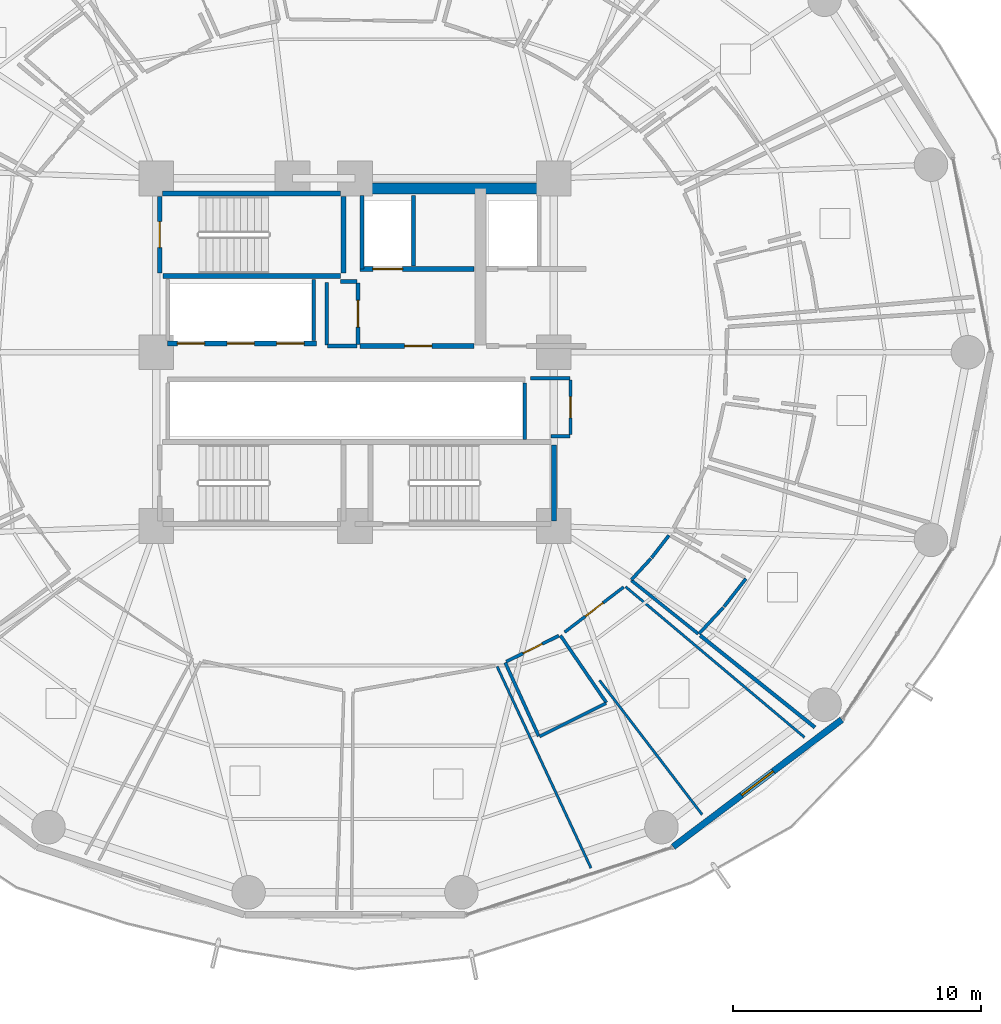
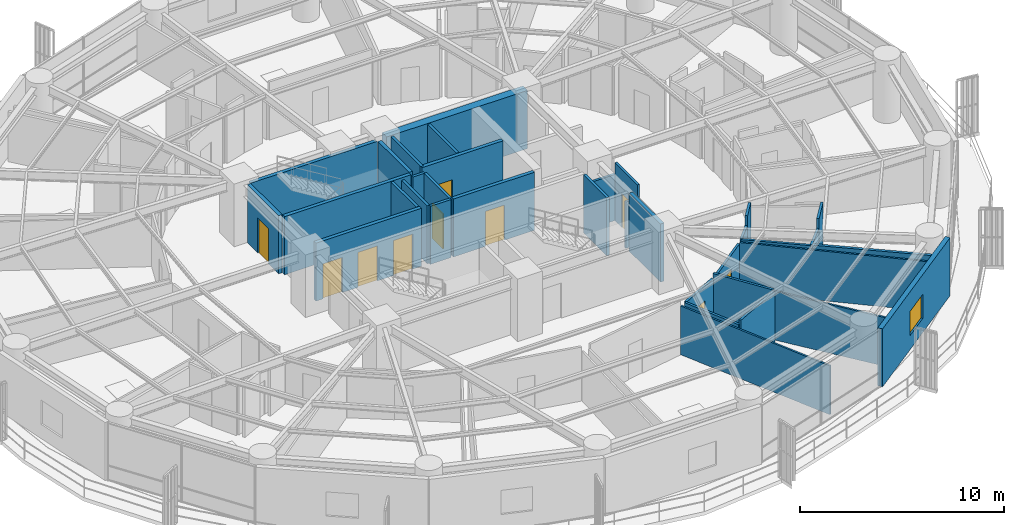
# One storey, part 28 of 36: 35 walls, 10 doors, 1 window, 11 openings.
"""IFC4 building model written with IfcOpenShell, lengths in metres."""

from ifc_helpers import new_model, si_unit, direction, frame, frame_2d, origin, place, context, subcontext, project, spatial, rectangle, extrude, material, layer, layer_set, type_object, element, fill, save


model = new_model("IFC4")

# Units and contexts
model_context = context("Model", 3, precision=1e-05, world=origin(), true_north=direction((0.0, 1.0)))
body_context = subcontext(model_context, "Body", "Model", "MODEL_VIEW")
ifc_project = project(units=[si_unit("LENGTHUNIT", "METRE"), si_unit("AREAUNIT", "SQUARE_METRE"), si_unit("VOLUMEUNIT", "CUBIC_METRE"), si_unit("PLANEANGLEUNIT", "RADIAN"), si_unit("MASSUNIT", "GRAM", prefix="KILO")], contexts=[model_context])

# Site, building, storey
site_placement = place(None, origin())
site = spatial("IfcSite", under=ifc_project, at=site_placement, CompositionType="ELEMENT")
building_placement = place(site_placement, origin())
building = spatial("IfcBuilding", under=site, at=building_placement, Name="Kelanora Arch Commons", CompositionType="ELEMENT")
storey_placement = place(building_placement, frame((0.0, 0.0, 98.85009765625)))
storey = spatial("IfcBuildingStorey", under=building, at=storey_placement, Name="L25", CompositionType="ELEMENT", Elevation=98.85009765625)

# Walls
ifc_material_1 = material(Name="Autoclaved aerated concrete blockwork with fire plaster", Category="masonry")
ifc_layer_1 = layer(ifc_material_1, 0.14990234375)
ifc_layer_set_1 = layer_set([ifc_layer_1], Name="Autoclaved aerated concrete blockwork with fire plaster")
wall_type_1 = type_object("IfcWallType", Name="W-COMP-150", PredefinedType="PARTITIONING", material=ifc_layer_set_1)
wall_1_placement = place(storey_placement, frame((74.280029296875, 61.35009765625, 0.0), z_axis=(0.0, 0.0, 1.0), x_axis=(0.0, 1.0, 0.0)))
element("IfcWall", 1, at=wall_1_placement, inside=storey, type_object=wall_type_1, Name="Firefighting Lift 1 West Shaft Wall L25", PredefinedType="PARTITIONING", context=body_context, shape_type="SweptSolid", body=[
    extrude(rectangle(XDim=2.969970703125, YDim=0.14990234375, at=frame_2d((1.48486328125, 0.0))), origin(), (0.0, 0.0, 1.0), 3.47998046875),
])
wall_2_placement = place(storey_placement, frame((76.360107421875, 61.47998046875, 0.0), z_axis=(0.0, 0.0, 1.0), x_axis=(0.0, 1.0, 0.0)))
element("IfcWall", 2, at=wall_2_placement, inside=storey, type_object=wall_type_1, Name="Firefighting Lift 1 East Shaft Wall L25", PredefinedType="PARTITIONING", context=body_context, shape_type="SweptSolid", body=[
    extrude(rectangle(XDim=2.840087890625, YDim=0.14990234375, at=frame_2d((1.419921875, 0.0))), origin(), (0.0, 0.0, 1.0), 3.47998046875),
])
wall_3_placement = place(storey_placement, frame((72.340087890625, 58.47998046875, 0.0), z_axis=(0.0, 0.0, 1.0), x_axis=(0.0, 1.0, 0.0)))
element("IfcWall", 3, at=wall_3_placement, inside=storey, type_object=wall_type_1, Name="Low-Rise Lift Bank East Wall L25", PredefinedType="PARTITIONING", context=body_context, shape_type="SweptSolid", body=[
    extrude(rectangle(XDim=2.4599609375, YDim=0.14990234375, at=frame_2d((1.22998046875, 0.0))), origin(), (0.0, 0.0, 1.0), 3.47998046875),
])
wall_4_placement = place(storey_placement, frame((80.840087890625, 54.47998046875, 0.0), z_axis=(0.0, 0.0, 1.0), x_axis=(0.0, 1.0, 0.0)))
element("IfcWall", 4, at=wall_4_placement, inside=storey, type_object=wall_type_1, Name="South Lift Bank East Wall L25", PredefinedType="PARTITIONING", context=body_context, shape_type="SweptSolid", body=[
    extrude(rectangle(XDim=2.2900390625, YDim=0.14990234375, at=frame_2d((1.14501953125, 0.0))), origin(), (0.0, 0.0, 1.0), 3.47998046875),
])

# Wall, opening, door
wall_5_placement = place(storey_placement, frame((74.1201171875, 58.31005859375, 0.0), z_axis=(0.0, 0.0, 1.0), x_axis=(0.0, 1.0, 0.0)))
wall_5 = element("IfcWall", 5, at=wall_5_placement, inside=storey, type_object=wall_type_1, Name="Core Linen Supply Store L25 Entry Partition", PredefinedType="PARTITIONING", context=body_context, shape_type="SweptSolid", body=[
    extrude(rectangle(XDim=2.47998046875, YDim=0.14990234375, at=frame_2d((1.239990234375, 0.0))), origin(), (0.0, 0.0, 1.0), 3.47998046875),
])
opening_1_placement = place(wall_5_placement, frame((0.699951171875, 0.0, 0.0)))
opening_1 = element("IfcOpeningElement", 6, at=opening_1_placement, cuts=wall_5, Name="Opening D-PLT1", PredefinedType="OPENING", context=body_context, shape_type="SweptSolid", body=[
    extrude(rectangle(XDim=1.080078125, YDim=2.10009765625, at=frame_2d((0.5400390625, 1.050048828125))), frame((0.0, 0.0849609375, 0.0), z_axis=(0.0, -1.0, 0.0), x_axis=(1.0, 0.0, 0.0)), (0.0, 0.0, 1.0), 0.169921875),
])
ifc_material_2 = material(Name="Galvanised steel plant and riser fire door", Category="steel")
door_type_1 = type_object("IfcDoorType", Name="D-PLT-110", OperationType="NOTDEFINED", PredefinedType="DOOR", material=ifc_material_2)
door_1_placement = place(opening_1_placement, origin())
door_1 = element("IfcDoor", 7, at=door_1_placement, inside=storey, type_object=door_type_1, Name="Core Linen Supply Store L25 Door", OperationType="SINGLE_SWING_LEFT", OverallHeight=2.10009765625, OverallWidth=1.080078125, PredefinedType="DOOR", context=body_context, shape_type="SweptSolid", body=[
    extrude(rectangle(XDim=1.080078125, YDim=2.10009765625, at=frame_2d((0.5400390625, 1.050048828125))), frame((0.0, 0.02490234375, 0.0), z_axis=(0.0, -1.0, 0.0), x_axis=(1.0, 0.0, 0.0)), (0.0, 0.0, 1.0), 0.050048828125),
])
fill(opening_1, door_1)

# Walls
wall_6_placement = place(storey_placement, frame((72.89990234375, 58.25, 0.0), z_axis=(0.0, 0.0, 1.0), x_axis=(1.0, 0.0, 0.0)))
element("IfcWall", 8, at=wall_6_placement, inside=storey, type_object=wall_type_1, Name="Core Linen Supply Store L25 Enclosure Partition 1", PredefinedType="PARTITIONING", context=body_context, shape_type="SweptSolid", body=[
    extrude(rectangle(XDim=1.18017578125, YDim=0.14990234375, at=frame_2d((0.590087890625, 0.0))), origin(), (0.0, 0.0, 1.0), 3.47998046875),
])
wall_7_placement = place(storey_placement, frame((74.080078125, 60.85009765625, 0.0), z_axis=(0.0, 0.0, 1.0), x_axis=(-1.0, 0.0, 0.0)))
element("IfcWall", 9, at=wall_7_placement, inside=storey, type_object=wall_type_1, Name="Core Linen Supply Store L25 Enclosure Partition 3", PredefinedType="PARTITIONING", context=body_context, shape_type="SweptSolid", body=[
    extrude(rectangle(XDim=0.66015625, YDim=0.14990234375, at=frame_2d((0.330078125, 0.0))), origin(), (0.0, 0.0, 1.0), 3.47998046875),
])
wall_8_placement = place(storey_placement, frame((72.860107421875, 60.81005859375, 0.0), z_axis=(0.0, 0.0, 1.0), x_axis=(0.0, -1.0, 0.0)))
element("IfcWall", 10, at=wall_8_placement, inside=storey, type_object=wall_type_1, Name="Core Linen Supply Store L25 Enclosure Partition 4", PredefinedType="PARTITIONING", context=body_context, shape_type="SweptSolid", body=[
    extrude(rectangle(XDim=2.52001953125, YDim=0.14990234375, at=frame_2d((1.260009765625, 0.0))), origin(), (0.0, 0.0, 1.0), 3.47998046875),
])
wall_9_placement = place(storey_placement, frame((92.518798828125, 42.89599609375, 0.0), z_axis=(0.0, 0.0, 1.0), x_axis=(-0.780422060226, 0.625253075093, 0.0)))
element("IfcWall", 11, at=wall_9_placement, inside=storey, type_object=wall_type_1, Name="Co-Living Studio L25-14 Enclosure Partition 5", PredefinedType="PARTITIONING", context=body_context, shape_type="SweptSolid", body=[
    extrude(rectangle(XDim=5.920654296875, YDim=0.14990234375, at=frame_2d((2.96044921875, 0.0))), origin(), (0.0, 0.0, 1.0), 2.974853515625),
])
ifc_material_3 = material(Name="Concrete C60/75", Category="concrete")
ifc_layer_2 = layer(ifc_material_3, 0.449951171875)
ifc_layer_set_2 = layer_set([ifc_layer_2], Name="Concrete C60/75")
wall_type_2 = type_object("IfcWallType", Name="W-CORE-450", PredefinedType="SHEAR", material=ifc_layer_set_2)
wall_10_placement = place(storey_placement, frame((74.0, 64.60009765625, 0.0), z_axis=(0.0, 0.0, 1.0), x_axis=(1.0, 0.0, 0.0)))
element("IfcWall", 12, at=wall_10_placement, inside=storey, type_object=wall_type_2, Name="Core Shear Spine L25-CN-E", PredefinedType="SHEAR", context=body_context, shape_type="SweptSolid", body=[
    extrude(rectangle(XDim=8.0, YDim=0.449951171875, at=frame_2d((4.0, 0.0))), origin(), (0.0, 0.0, 1.0), 3.489990234375),
])

# Wall, opening, window
ifc_material_4 = material(Name="Precast concrete C40/50 with terracotta rainscreen", Category="masonry")
ifc_layer_3 = layer(ifc_material_4, 0.260009765625)
ifc_layer_set_3 = layer_set([ifc_layer_3], Name="Precast concrete C40/50 with terracotta rainscreen")
wall_type_3 = type_object("IfcWallType", Name="W-EXT-TC", PredefinedType="SOLIDWALL", material=ifc_layer_set_3)
wall_11_placement = place(storey_placement, frame((86.81201171875, 38.09033203125, 0.0), z_axis=(0.0, 0.0, 1.0), x_axis=(0.798501507879, 0.601992808857, 0.0)))
wall_11 = element("IfcWall", 13, at=wall_11_placement, inside=storey, type_object=wall_type_3, Name="Terracotta Exterior Wall L25-B15", PredefinedType="SOLIDWALL", context=body_context, shape_type="SweptSolid", body=[
    extrude(rectangle(XDim=8.499267578125, YDim=0.260009765625, at=frame_2d((4.24951171875, 0.0))), origin(), (0.0, 0.0, 1.0), 3.474853515625),
])
opening_2_placement = place(wall_11_placement, frame((3.449951171875, 0.0, 0.85009765625)))
opening_2 = element("IfcOpeningElement", 14, at=opening_2_placement, cuts=wall_11, Name="Opening WN-01", PredefinedType="OPENING", context=body_context, shape_type="SweptSolid", body=[
    extrude(rectangle(XDim=1.60009765625, YDim=1.449951171875, at=frame_2d((0.800048828125, 0.72509765625))), frame((0.0, 0.14013671875, 0.0), z_axis=(0.0, -1.0, 0.0), x_axis=(1.0, 0.0, 0.0)), (0.0, 0.0, 1.0), 0.280029296875),
])
ifc_material_5 = material(Name="Terracotta-anodised aluminium frame with operable low-E glazing", Category="masonry")
window_type = type_object("IfcWindowType", Name="WIN-CL-18", PartitioningType="DOUBLE_PANEL_VERTICAL", PredefinedType="WINDOW", material=ifc_material_5)
window_placement = place(opening_2_placement, origin())
window = element("IfcWindow", 15, at=window_placement, inside=storey, type_object=window_type, Name="Co-Living Operable Window L25-B15", OverallHeight=1.449951171875, OverallWidth=1.60009765625, PartitioningType="SINGLE_PANEL", PredefinedType="WINDOW", context=body_context, shape_type="SweptSolid", body=[
    extrude(rectangle(XDim=1.60009765625, YDim=1.449951171875, at=frame_2d((0.800048828125, 0.72509765625))), frame((0.0, 0.030029296875, 0.0), z_axis=(0.0, -1.0, 0.0), x_axis=(1.0, 0.0, 0.0)), (0.0, 0.0, 1.0), 0.06005859375),
])
fill(opening_2, window)

# Wall, opening, door
ifc_material_6 = material(Name="Concrete C40/50", Category="concrete")
ifc_layer_4 = layer(ifc_material_6, 0.199951171875)
ifc_layer_set_4 = layer_set([ifc_layer_4], Name="Concrete C40/50")
wall_type_4 = type_object("IfcWallType", Name="W-FFL-200", PredefinedType="SOLIDWALL", material=ifc_layer_set_4)
wall_12_placement = place(storey_placement, frame((74.199951171875, 61.35009765625, 0.0), z_axis=(0.0, 0.0, 1.0), x_axis=(1.0, 0.0, 0.0)))
wall_12 = element("IfcWall", 16, at=wall_12_placement, inside=storey, type_object=wall_type_4, Name="Firefighting Lift 1 Shaft Front L25", PredefinedType="SOLIDWALL", context=body_context, shape_type="SweptSolid", body=[
    extrude(rectangle(XDim=4.60009765625, YDim=0.199951171875, at=frame_2d((2.300048828125, 0.0))), origin(), (0.0, 0.0, 1.0), 3.47998046875),
])
opening_3_placement = place(wall_12_placement, frame((0.52001953125, 0.0, 0.0)))
opening_3 = element("IfcOpeningElement", 17, at=opening_3_placement, cuts=wall_12, Name="Opening LD-FF", PredefinedType="OPENING", context=body_context, shape_type="SweptSolid", body=[
    extrude(rectangle(XDim=1.199951171875, YDim=2.14990234375, at=frame_2d((0.60009765625, 1.074951171875))), frame((0.0, 0.10986328125, 0.0), z_axis=(0.0, -1.0, 0.0), x_axis=(1.0, 0.0, 0.0)), (0.0, 0.0, 1.0), 0.219970703125),
])
ifc_material_7 = material(Name="Fire-rated firefighters lift sliding landing door")
door_type_2 = type_object("IfcDoorType", Name="D-LIFT-FF", OperationType="NOTDEFINED", PredefinedType="DOOR", material=ifc_material_7)
door_2_placement = place(opening_3_placement, origin())
door_2 = element("IfcDoor", 18, at=door_2_placement, inside=storey, type_object=door_type_2, Name="Firefighting Lift LF-FF1 Landing Door L25", OperationType="DOUBLE_DOOR_SLIDING", OverallHeight=2.14990234375, OverallWidth=1.199951171875, PredefinedType="DOOR", context=body_context, shape_type="SweptSolid", body=[
    extrude(rectangle(XDim=1.199951171875, YDim=2.14990234375, at=frame_2d((0.60009765625, 1.074951171875))), frame((0.0, 0.02490234375, 0.0), z_axis=(0.0, -1.0, 0.0), x_axis=(1.0, 0.0, 0.0)), (0.0, 0.0, 1.0), 0.050048828125),
])
fill(opening_3, door_2)

wall_13_placement = place(storey_placement, frame((74.199951171875, 58.25, 0.0), z_axis=(0.0, 0.0, 1.0), x_axis=(1.0, 0.0, 0.0)))
wall_13 = element("IfcWall", 19, at=wall_13_placement, inside=storey, type_object=wall_type_4, Name="Firefighting Lobby 1 Enclosure Wall L25", PredefinedType="SOLIDWALL", context=body_context, shape_type="SweptSolid", body=[
    extrude(rectangle(XDim=4.60009765625, YDim=0.199951171875, at=frame_2d((2.300048828125, 0.0))), origin(), (0.0, 0.0, 1.0), 3.47998046875),
])
opening_4_placement = place(wall_13_placement, frame((1.800048828125, 0.0, 0.0)))
opening_4 = element("IfcOpeningElement", 20, at=opening_4_placement, cuts=wall_13, Name="Opening D-FFL1", PredefinedType="OPENING", context=body_context, shape_type="SweptSolid", body=[
    extrude(rectangle(XDim=1.10009765625, YDim=2.10009765625, at=frame_2d((0.550048828125, 1.050048828125))), frame((0.0, 0.10986328125, 0.0), z_axis=(0.0, -1.0, 0.0), x_axis=(1.0, 0.0, 0.0)), (0.0, 0.0, 1.0), 0.219970703125),
])
ifc_material_8 = material(Name="Smoke-sealed firefighting lobby fire door")
door_type_3 = type_object("IfcDoorType", Name="D-FFL-110", OperationType="NOTDEFINED", PredefinedType="DOOR", material=ifc_material_8)
door_3_placement = place(opening_4_placement, frame((1.10009765625, 0.0, 0.0), z_axis=(0.0, 0.0, 1.0), x_axis=(-1.0, 0.0, 0.0)))
door_3 = element("IfcDoor", 21, at=door_3_placement, inside=storey, type_object=door_type_3, Name="Firefighting Lobby 1 Door L25", OperationType="SINGLE_SWING_LEFT", OverallHeight=2.10009765625, OverallWidth=1.10009765625, PredefinedType="DOOR", context=body_context, shape_type="SweptSolid", body=[
    extrude(rectangle(XDim=1.10009765625, YDim=2.10009765625, at=frame_2d((0.550048828125, 1.050048828125))), frame((0.0, 0.02490234375, 0.0), z_axis=(0.0, -1.0, 0.0), x_axis=(1.0, 0.0, 0.0)), (0.0, 0.0, 1.0), 0.050048828125),
])
fill(opening_4, door_3)

# Wall, openings, doors
wall_14_placement = place(storey_placement, frame((66.449951171875, 58.35009765625, 0.0), z_axis=(0.0, 0.0, 1.0), x_axis=(1.0, 0.0, 0.0)))
wall_14 = element("IfcWall", 22, at=wall_14_placement, inside=storey, type_object=wall_type_4, Name="Low-Rise Passenger Lift Shaft Front L25", PredefinedType="SOLIDWALL", context=body_context, shape_type="SweptSolid", body=[
    extrude(rectangle(XDim=6.0, YDim=0.199951171875, at=frame_2d((3.0, 0.0))), origin(), (0.0, 0.0, 1.0), 3.47998046875),
])
opening_5_placement = place(wall_14_placement, frame((0.39990234375, 0.0, 0.0)))
opening_5 = element("IfcOpeningElement", 23, at=opening_5_placement, cuts=wall_14, Name="Opening LD-01", PredefinedType="OPENING", context=body_context, shape_type="SweptSolid", body=[
    extrude(rectangle(XDim=1.10009765625, YDim=2.10009765625, at=frame_2d((0.550048828125, 1.050048828125))), frame((0.0, 0.10986328125, 0.0), z_axis=(0.0, -1.0, 0.0), x_axis=(1.0, 0.0, 0.0)), (0.0, 0.0, 1.0), 0.219970703125),
])
opening_6_placement = place(wall_14_placement, frame((2.39990234375, 0.0, 0.0)))
opening_6 = element("IfcOpeningElement", 24, at=opening_6_placement, cuts=wall_14, Name="Opening LD-01", PredefinedType="OPENING", context=body_context, shape_type="SweptSolid", body=[
    extrude(rectangle(XDim=1.10009765625, YDim=2.10009765625, at=frame_2d((0.550048828125, 1.050048828125))), frame((0.0, 0.10986328125, 0.0), z_axis=(0.0, -1.0, 0.0), x_axis=(1.0, 0.0, 0.0)), (0.0, 0.0, 1.0), 0.219970703125),
])
opening_7_placement = place(wall_14_placement, frame((4.39990234375, 0.0, 0.0)))
opening_7 = element("IfcOpeningElement", 25, at=opening_7_placement, cuts=wall_14, Name="Opening LD-01", PredefinedType="OPENING", context=body_context, shape_type="SweptSolid", body=[
    extrude(rectangle(XDim=1.10009765625, YDim=2.10009765625, at=frame_2d((0.550048828125, 1.050048828125))), frame((0.0, 0.10986328125, 0.0), z_axis=(0.0, -1.0, 0.0), x_axis=(1.0, 0.0, 0.0)), (0.0, 0.0, 1.0), 0.219970703125),
])
ifc_material_9 = material(Name="Stainless steel passenger lift sliding landing door", Category="steel")
door_type_4 = type_object("IfcDoorType", Name="D-LIFT-110", OperationType="NOTDEFINED", PredefinedType="DOOR", material=ifc_material_9)
door_4_placement = place(opening_5_placement, origin())
door_4 = element("IfcDoor", 26, at=door_4_placement, inside=storey, type_object=door_type_4, Name="Passenger Lift LF-P1 Landing Door L25", OperationType="DOUBLE_DOOR_SLIDING", OverallHeight=2.10009765625, OverallWidth=1.10009765625, PredefinedType="DOOR", context=body_context, shape_type="SweptSolid", body=[
    extrude(rectangle(XDim=1.10009765625, YDim=2.10009765625, at=frame_2d((0.550048828125, 1.050048828125))), frame((0.0, 0.02490234375, 0.0), z_axis=(0.0, -1.0, 0.0), x_axis=(1.0, 0.0, 0.0)), (0.0, 0.0, 1.0), 0.050048828125),
])
fill(opening_5, door_4)
door_5_placement = place(opening_6_placement, origin())
door_5 = element("IfcDoor", 27, at=door_5_placement, inside=storey, type_object=door_type_4, Name="Passenger Lift LF-P2 Landing Door L25", OperationType="DOUBLE_DOOR_SLIDING", OverallHeight=2.10009765625, OverallWidth=1.10009765625, PredefinedType="DOOR", context=body_context, shape_type="SweptSolid", body=[
    extrude(rectangle(XDim=1.10009765625, YDim=2.10009765625, at=frame_2d((0.550048828125, 1.050048828125))), frame((0.0, 0.02490234375, 0.0), z_axis=(0.0, -1.0, 0.0), x_axis=(1.0, 0.0, 0.0)), (0.0, 0.0, 1.0), 0.050048828125),
])
fill(opening_6, door_5)
door_6_placement = place(opening_7_placement, origin())
door_6 = element("IfcDoor", 28, at=door_6_placement, inside=storey, type_object=door_type_4, Name="Passenger Lift LF-P3 Landing Door L25", OperationType="DOUBLE_DOOR_SLIDING", OverallHeight=2.10009765625, OverallWidth=1.10009765625, PredefinedType="DOOR", context=body_context, shape_type="SweptSolid", body=[
    extrude(rectangle(XDim=1.10009765625, YDim=2.10009765625, at=frame_2d((0.550048828125, 1.050048828125))), frame((0.0, 0.02490234375, 0.0), z_axis=(0.0, -1.0, 0.0), x_axis=(1.0, 0.0, 0.0)), (0.0, 0.0, 1.0), 0.050048828125),
])
fill(opening_7, door_6)

# Walls
ifc_material_10 = material(Name="Lightweight fire-rated acoustic stud partition")
ifc_layer_5 = layer(ifc_material_10, 0.10009765625)
ifc_layer_set_5 = layer_set([ifc_layer_5], Name="Lightweight fire-rated acoustic stud partition")
wall_type_5 = type_object("IfcWallType", Name="W-PART-100", PredefinedType="PARTITIONING", material=ifc_layer_set_5)
wall_15_placement = place(storey_placement, frame((79.719970703125, 45.352783203125, 0.0), z_axis=(0.0, 0.0, 1.0), x_axis=(0.422225492456, -0.906490834769, 0.0)))
element("IfcWall", 29, at=wall_15_placement, inside=storey, type_object=wall_type_5, Name="Quiet Seminar Study Room L25-12 Enclosure Partition 2", PredefinedType="PARTITIONING", context=body_context, shape_type="SweptSolid", body=[
    extrude(rectangle(XDim=8.95263671875, YDim=0.10009765625, at=frame_2d((4.476318359375, 0.0))), origin(), (0.0, 0.0, 1.0), 2.9248046875),
])
wall_16_placement = place(storey_placement, frame((84.896484375, 48.55712890625, 0.0), z_axis=(0.0, 0.0, 1.0), x_axis=(0.765171343651, -0.64382669629, 0.0)))
element("IfcWall", 30, at=wall_16_placement, inside=storey, type_object=wall_type_5, Name="Tutorial Study Alcove L25-13 Enclosure Partition 2", PredefinedType="PARTITIONING", context=body_context, shape_type="SweptSolid", body=[
    extrude(rectangle(XDim=9.416015625, YDim=0.10009765625, at=frame_2d((4.7080078125, 0.0))), origin(), (0.0, 0.0, 1.0), 2.974853515625),
])
wall_17_placement = place(storey_placement, frame((87.979736328125, 39.3828125, 0.0), z_axis=(0.0, 0.0, 1.0), x_axis=(-0.607281003039, 0.794487119687, 0.0)))
element("IfcWall", 31, at=wall_17_placement, inside=storey, type_object=wall_type_5, Name="Tutorial Study Alcove L25-13 Enclosure Partition 4", PredefinedType="PARTITIONING", context=body_context, shape_type="SweptSolid", body=[
    extrude(rectangle(XDim=6.80615234375, YDim=0.10009765625, at=frame_2d((3.403076171875, 0.0))), origin(), (0.0, 0.0, 1.0), 2.9248046875),
])

# Wall, opening, door
ifc_material_11 = material(Name="Acoustic twin-stud fire-rated gypsum partition")
ifc_layer_6 = layer(ifc_material_11, 0.1201171875)
ifc_layer_set_6 = layer_set([ifc_layer_6], Name="Acoustic twin-stud fire-rated gypsum partition")
wall_type_6 = type_object("IfcWallType", Name="W-PART-120", PredefinedType="PARTITIONING", material=ifc_layer_set_6)
wall_18_placement = place(storey_placement, frame((82.439697265625, 46.7294921875, 0.0), z_axis=(0.0, 0.0, 1.0), x_axis=(0.794654066843, 0.607062528945, 0.0)))
wall_18 = element("IfcWall", 32, at=wall_18_placement, inside=storey, type_object=wall_type_6, Name="Tutorial Study Alcove L25-13 Entry Partition", PredefinedType="PARTITIONING", context=body_context, shape_type="SweptSolid", body=[
    extrude(rectangle(XDim=2.993408203125, YDim=0.1201171875, at=frame_2d((1.49658203125, 0.0))), origin(), (0.0, 0.0, 1.0), 2.9248046875),
])
opening_8_placement = place(wall_18_placement, frame((1.047119140625, 0.0, 0.0)))
opening_8 = element("IfcOpeningElement", 33, at=opening_8_placement, cuts=wall_18, Name="Opening D-RM1", PredefinedType="OPENING", context=body_context, shape_type="SweptSolid", body=[
    extrude(rectangle(XDim=0.89990234375, YDim=2.080078125, at=frame_2d((0.449951171875, 1.0400390625))), frame((0.0, 0.070068359375, 0.0), z_axis=(0.0, -1.0, 0.0), x_axis=(1.0, 0.0, 0.0)), (0.0, 0.0, 1.0), 0.14013671875),
])
ifc_material_12 = material(Name="Acoustic fire-rated timber study and lounge door", Category="wood")
door_type_5 = type_object("IfcDoorType", Name="D-ROOM-90", OperationType="NOTDEFINED", PredefinedType="DOOR", material=ifc_material_12)
door_7_placement = place(opening_8_placement, origin())
door_7 = element("IfcDoor", 34, at=door_7_placement, inside=storey, type_object=door_type_5, Name="Tutorial Study Alcove L25-13 Door", OperationType="SINGLE_SWING_RIGHT", OverallHeight=2.080078125, OverallWidth=0.89990234375, PredefinedType="DOOR", context=body_context, shape_type="SweptSolid", body=[
    extrude(rectangle(XDim=0.89990234375, YDim=2.080078125, at=frame_2d((0.449951171875, 1.0400390625))), frame((0.0, 0.02490234375, 0.0), z_axis=(0.0, -1.0, 0.0), x_axis=(1.0, 0.0, 0.0)), (0.0, 0.0, 1.0), 0.050048828125),
])
fill(opening_8, door_7)

# Walls
ifc_layer_7 = layer(ifc_material_6, 0.199951171875)
ifc_layer_set_7 = layer_set([ifc_layer_7], Name="Concrete C40/50")
wall_type_7 = type_object("IfcWallType", Name="W-STAIR-200", PredefinedType="SHEAR", material=ifc_layer_set_7)
wall_19_placement = place(storey_placement, frame((66.260009765625, 61.080078125, 0.0), z_axis=(0.0, 0.0, 1.0), x_axis=(1.0, 0.0, 0.0)))
element("IfcWall", 35, at=wall_19_placement, inside=storey, type_object=wall_type_7, Name="Stair ST-T1 Shaft Wall S L25", PredefinedType="SHEAR", context=body_context, shape_type="SweptSolid", body=[
    extrude(rectangle(XDim=7.159912109375, YDim=0.199951171875, at=frame_2d((3.580078125, 0.0))), origin(), (0.0, 0.0, 1.0), 3.489990234375),
])
wall_20_placement = place(storey_placement, frame((73.5400390625, 61.199951171875, 0.0), z_axis=(0.0, 0.0, 1.0), x_axis=(0.0, 1.0, 0.0)))
element("IfcWall", 36, at=wall_20_placement, inside=storey, type_object=wall_type_7, Name="Stair ST-T1 Shaft Wall E L25", PredefinedType="SHEAR", context=body_context, shape_type="SweptSolid", body=[
    extrude(rectangle(XDim=3.070068359375, YDim=0.199951171875, at=frame_2d((1.53515625, 0.0))), origin(), (0.0, 0.0, 1.0), 3.489990234375),
])
wall_21_placement = place(storey_placement, frame((73.419921875, 64.389892578125, 0.0), z_axis=(0.0, 0.0, 1.0), x_axis=(-1.0, 0.0, 0.0)))
element("IfcWall", 37, at=wall_21_placement, inside=storey, type_object=wall_type_7, Name="Stair ST-T1 Shaft Wall N L25", PredefinedType="SHEAR", context=body_context, shape_type="SweptSolid", body=[
    extrude(rectangle(XDim=7.159912109375, YDim=0.199951171875, at=frame_2d((3.580078125, 0.0))), origin(), (0.0, 0.0, 1.0), 3.489990234375),
])

# Wall, opening, door
wall_22_placement = place(storey_placement, frame((66.139892578125, 64.27001953125, 0.0), z_axis=(0.0, 0.0, 1.0), x_axis=(0.0, -1.0, 0.0)))
wall_22 = element("IfcWall", 38, at=wall_22_placement, inside=storey, type_object=wall_type_7, Name="Stair ST-T1 Shaft Wall W L25", PredefinedType="SHEAR", context=body_context, shape_type="SweptSolid", body=[
    extrude(rectangle(XDim=3.070068359375, YDim=0.199951171875, at=frame_2d((1.53515625, 0.0))), origin(), (0.0, 0.0, 1.0), 3.489990234375),
])
opening_9_placement = place(wall_22_placement, frame((1.010009765625, 0.0, 0.0)))
opening_9 = element("IfcOpeningElement", 39, at=opening_9_placement, cuts=wall_22, Name="Opening D-ST1", PredefinedType="OPENING", context=body_context, shape_type="SweptSolid", body=[
    extrude(rectangle(XDim=1.050048828125, YDim=2.10009765625, at=frame_2d((0.52490234375, 1.050048828125))), frame((0.0, 0.10986328125, 0.0), z_axis=(0.0, -1.0, 0.0), x_axis=(1.0, 0.0, 0.0)), (0.0, 0.0, 1.0), 0.219970703125),
])
ifc_material_13 = material(Name="Steel fire-rated stairwell escape door", Category="steel")
door_type_6 = type_object("IfcDoorType", Name="D-STAIR-110", OperationType="NOTDEFINED", PredefinedType="DOOR", material=ifc_material_13)
door_8_placement = place(opening_9_placement, origin())
door_8 = element("IfcDoor", 40, at=door_8_placement, inside=storey, type_object=door_type_6, Name="Stair ST-T1 Escape Door L25", OperationType="SINGLE_SWING_LEFT", OverallHeight=2.10009765625, OverallWidth=1.050048828125, PredefinedType="DOOR", context=body_context, shape_type="SweptSolid", body=[
    extrude(rectangle(XDim=1.050048828125, YDim=2.10009765625, at=frame_2d((0.52490234375, 1.050048828125))), frame((0.0, 0.02490234375, 0.0), z_axis=(0.0, -1.0, 0.0), x_axis=(1.0, 0.0, 0.0)), (0.0, 0.0, 1.0), 0.050048828125),
])
fill(opening_9, door_8)

# Wall
wall_23_placement = place(storey_placement, frame((82.02001953125, 51.199951171875, 0.0), z_axis=(0.0, 0.0, 1.0), x_axis=(0.0, 1.0, 0.0)))
element("IfcWall", 41, at=wall_23_placement, inside=storey, type_object=wall_type_7, Name="Stair ST-T2 Shaft Wall E L25", PredefinedType="SHEAR", context=body_context, shape_type="SweptSolid", body=[
    extrude(rectangle(XDim=3.070068359375, YDim=0.199951171875, at=frame_2d((1.53515625, 0.0))), origin(), (0.0, 0.0, 1.0), 3.489990234375),
])

# Wall, opening, door
ifc_material_14 = material(Name="Moisture-resistant fire-rated cement-board plumbing wall")
ifc_layer_8 = layer(ifc_material_14, 0.1298828125)
ifc_layer_set_8 = layer_set([ifc_layer_8], Name="Moisture-resistant fire-rated cement-board plumbing wall")
wall_type_8 = type_object("IfcWallType", Name="W-WET-120", PredefinedType="PLUMBINGWALL", material=ifc_layer_set_8)
wall_24_placement = place(storey_placement, frame((82.679931640625, 54.679931640625, 0.0), z_axis=(0.0, 0.0, 1.0), x_axis=(0.0, 1.0, 0.0)))
wall_24 = element("IfcWall", 42, at=wall_24_placement, inside=storey, type_object=wall_type_8, Name="Core Accessible Unisex WC L25 Entry Partition", PredefinedType="PLUMBINGWALL", context=body_context, shape_type="SweptSolid", body=[
    extrude(rectangle(XDim=2.2099609375, YDim=0.1298828125, at=frame_2d((1.10498046875, 0.0))), origin(), (0.0, 0.0, 1.0), 3.47998046875),
])
opening_10_placement = place(wall_24_placement, frame((0.675048828125, 0.0, 0.0)))
opening_10 = element("IfcOpeningElement", 43, at=opening_10_placement, cuts=wall_24, Name="Opening D-BT1", PredefinedType="OPENING", context=body_context, shape_type="SweptSolid", body=[
    extrude(rectangle(XDim=0.860107421875, YDim=2.050048828125, at=frame_2d((0.43017578125, 1.02490234375))), frame((0.0, 0.074951171875, 0.0), z_axis=(0.0, -1.0, 0.0), x_axis=(1.0, 0.0, 0.0)), (0.0, 0.0, 1.0), 0.14990234375),
])
ifc_material_15 = material(Name="Moisture-sealed fire-rated accessible bathroom door")
door_type_7 = type_object("IfcDoorType", Name="D-BATH-85", OperationType="NOTDEFINED", PredefinedType="DOOR", material=ifc_material_15)
door_9_placement = place(opening_10_placement, origin())
door_9 = element("IfcDoor", 44, at=door_9_placement, inside=storey, type_object=door_type_7, Name="Core Accessible Unisex WC L25 Door", OperationType="SINGLE_SWING_RIGHT", OverallHeight=2.050048828125, OverallWidth=0.860107421875, PredefinedType="DOOR", context=body_context, shape_type="SweptSolid", body=[
    extrude(rectangle(XDim=0.860107421875, YDim=2.050048828125, at=frame_2d((0.43017578125, 1.02490234375))), frame((0.0, 0.02490234375, 0.0), z_axis=(0.0, -1.0, 0.0), x_axis=(1.0, 0.0, 0.0)), (0.0, 0.0, 1.0), 0.050048828125),
])
fill(opening_10, door_9)

wall_25_placement = place(storey_placement, frame((80.0947265625, 45.54638671875, 0.0), z_axis=(0.0, 0.0, 1.0), x_axis=(0.897003770221, 0.442022891046, 0.0)))
wall_25 = element("IfcWall", 45, at=wall_25_placement, inside=storey, type_object=wall_type_8, Name="Accessible Shared Floor WC L25-13 Entry Partition", PredefinedType="PLUMBINGWALL", context=body_context, shape_type="SweptSolid", body=[
    extrude(rectangle(XDim=2.355224609375, YDim=0.1298828125, at=frame_2d((1.177734375, 0.0))), origin(), (0.0, 0.0, 1.0), 2.9248046875),
])
opening_11_placement = place(wall_25_placement, frame((0.7470703125, 0.0, 0.0)))
opening_11 = element("IfcOpeningElement", 46, at=opening_11_placement, cuts=wall_25, Name="Opening D-BT1", PredefinedType="OPENING", context=body_context, shape_type="SweptSolid", body=[
    extrude(rectangle(XDim=0.860107421875, YDim=2.050048828125, at=frame_2d((0.43017578125, 1.02490234375))), frame((0.0, 0.074951171875, 0.0), z_axis=(0.0, -1.0, 0.0), x_axis=(1.0, 0.0, 0.0)), (0.0, 0.0, 1.0), 0.14990234375),
])
door_10_placement = place(opening_11_placement, origin())
door_10 = element("IfcDoor", 47, at=door_10_placement, inside=storey, type_object=door_type_7, Name="Accessible Shared Floor WC L25-13 Door", OperationType="SINGLE_SWING_LEFT", OverallHeight=2.050048828125, OverallWidth=0.860107421875, PredefinedType="DOOR", context=body_context, shape_type="SweptSolid", body=[
    extrude(rectangle(XDim=0.860107421875, YDim=2.050048828125, at=frame_2d((0.43017578125, 1.02490234375))), frame((0.0, 0.02490234375, 0.0), z_axis=(0.0, -1.0, 0.0), x_axis=(1.0, 0.0, 0.0)), (0.0, 0.0, 1.0), 0.050048828125),
])
fill(opening_11, door_10)

# Walls
wall_26_placement = place(storey_placement, frame((81.89990234375, 54.6201171875, 0.0), z_axis=(0.0, 0.0, 1.0), x_axis=(1.0, 0.0, 0.0)))
element("IfcWall", 48, at=wall_26_placement, inside=storey, type_object=wall_type_8, Name="Core Accessible Unisex WC L25 Enclosure Partition 1", PredefinedType="PLUMBINGWALL", context=body_context, shape_type="SweptSolid", body=[
    extrude(rectangle(XDim=0.760009765625, YDim=0.1298828125, at=frame_2d((0.3798828125, 0.0))), origin(), (0.0, 0.0, 1.0), 2.77490234375),
])
wall_27_placement = place(storey_placement, frame((82.659912109375, 56.949951171875, 0.0), z_axis=(0.0, 0.0, 1.0), x_axis=(-1.0, 0.0, 0.0)))
element("IfcWall", 49, at=wall_27_placement, inside=storey, type_object=wall_type_8, Name="Core Accessible Unisex WC L25 Enclosure Partition 3", PredefinedType="PLUMBINGWALL", context=body_context, shape_type="SweptSolid", body=[
    extrude(rectangle(XDim=1.58984375, YDim=0.1298828125, at=frame_2d((0.794921875, 0.0))), origin(), (0.0, 0.0, 1.0), 2.77490234375),
])
wall_28_placement = place(storey_placement, frame((82.272216796875, 46.597412109375, 0.0), z_axis=(0.0, 0.0, 1.0), x_axis=(0.56421847533, -0.825625527764, 0.0)))
element("IfcWall", 50, at=wall_28_placement, inside=storey, type_object=wall_type_8, Name="Accessible Shared Floor WC L25-13 Enclosure Partition 2", PredefinedType="PLUMBINGWALL", context=body_context, shape_type="SweptSolid", body=[
    extrude(rectangle(XDim=3.2724609375, YDim=0.1298828125, at=frame_2d((1.63623046875, 0.0))), origin(), (0.0, 0.0, 1.0), 3.23486328125),
])
wall_29_placement = place(storey_placement, frame((84.112060546875, 43.8701171875, 0.0), z_axis=(0.0, 0.0, 1.0), x_axis=(-0.89496337821, -0.446139610059, 0.0)))
element("IfcWall", 51, at=wall_29_placement, inside=storey, type_object=wall_type_8, Name="Accessible Shared Floor WC L25-13 Enclosure Partition 3", PredefinedType="PLUMBINGWALL", context=body_context, shape_type="SweptSolid", body=[
    extrude(rectangle(XDim=3.00146484375, YDim=0.1298828125, at=frame_2d((1.500732421875, 0.0))), origin(), (0.0, 0.0, 1.0), 3.1748046875),
])
wall_30_placement = place(storey_placement, frame((81.399658203125, 42.540283203125, 0.0), z_axis=(0.0, 0.0, 1.0), x_axis=(-0.414882082756, 0.909875187819, 0.0)))
element("IfcWall", 52, at=wall_30_placement, inside=storey, type_object=wall_type_8, Name="Accessible Shared Floor WC L25-13 Enclosure Partition 4", PredefinedType="PLUMBINGWALL", context=body_context, shape_type="SweptSolid", body=[
    extrude(rectangle(XDim=3.254638671875, YDim=0.1298828125, at=frame_2d((1.62744140625, 0.0))), origin(), (0.0, 0.0, 1.0), 2.9248046875),
])
wall_31_placement = place(storey_placement, frame((85.130615234375, 48.841796875, 0.0), z_axis=(0.0, 0.0, 1.0), x_axis=(0.677595961293, 0.73543437045, 0.0)))
element("IfcWall", 53, at=wall_31_placement, inside=storey, type_object=wall_type_8, Name="En-Suite Shower WC L25-14 Enclosure Partition 1", PredefinedType="PLUMBINGWALL", context=body_context, shape_type="SweptSolid", body=[
    extrude(rectangle(XDim=1.156494140625, YDim=0.1298828125, at=frame_2d((0.578125, 0.0))), origin(), (0.0, 0.0, 1.0), 2.9248046875),
])
wall_32_placement = place(storey_placement, frame((85.940185546875, 49.722900390625, 0.0), z_axis=(0.0, 0.0, 1.0), x_axis=(0.61219897041, 0.790703750231, 0.0)))
element("IfcWall", 54, at=wall_32_placement, inside=storey, type_object=wall_type_8, Name="En-Suite Shower WC L25-14 Enclosure Partition 2", PredefinedType="PLUMBINGWALL", context=body_context, shape_type="SweptSolid", body=[
    extrude(rectangle(XDim=1.146240234375, YDim=0.1298828125, at=frame_2d((0.5732421875, 0.0))), origin(), (0.0, 0.0, 1.0), 3.47998046875),
])
wall_33_placement = place(storey_placement, frame((89.73876953125, 48.88427734375, 0.0), z_axis=(0.0, 0.0, 1.0), x_axis=(-0.614790089133, -0.788690779903, 0.0)))
element("IfcWall", 55, at=wall_33_placement, inside=storey, type_object=wall_type_8, Name="En-Suite Shower WC L25-14 Enclosure Partition 4", PredefinedType="PLUMBINGWALL", context=body_context, shape_type="SweptSolid", body=[
    extrude(rectangle(XDim=1.431884765625, YDim=0.1298828125, at=frame_2d((0.7158203125, 0.0))), origin(), (0.0, 0.0, 1.0), 3.47998046875),
])
wall_34_placement = place(storey_placement, frame((88.83251953125, 47.724365234375, 0.0), z_axis=(0.0, 0.0, 1.0), x_axis=(-0.679724752717, -0.733467286621, 0.0)))
element("IfcWall", 56, at=wall_34_placement, inside=storey, type_object=wall_type_8, Name="En-Suite Shower WC L25-14 Enclosure Partition 5", PredefinedType="PLUMBINGWALL", context=body_context, shape_type="SweptSolid", body=[
    extrude(rectangle(XDim=1.444580078125, YDim=0.1298828125, at=frame_2d((0.72216796875, 0.0))), origin(), (0.0, 0.0, 1.0), 2.9248046875),
])
wall_35_placement = place(storey_placement, frame((87.8212890625, 46.66259765625, 0.0), z_axis=(0.0, 0.0, 1.0), x_axis=(-0.780744298962, 0.624850653868, 0.0)))
element("IfcWall", 57, at=wall_35_placement, inside=storey, type_object=wall_type_8, Name="En-Suite Shower WC L25-14 Enclosure Partition 6", PredefinedType="PLUMBINGWALL", context=body_context, shape_type="SweptSolid", body=[
    extrude(rectangle(XDim=3.44384765625, YDim=0.1298828125, at=frame_2d((1.721923828125, 0.0))), origin(), (0.0, 0.0, 1.0), 2.9248046875),
])

save(model, "model.ifc")
